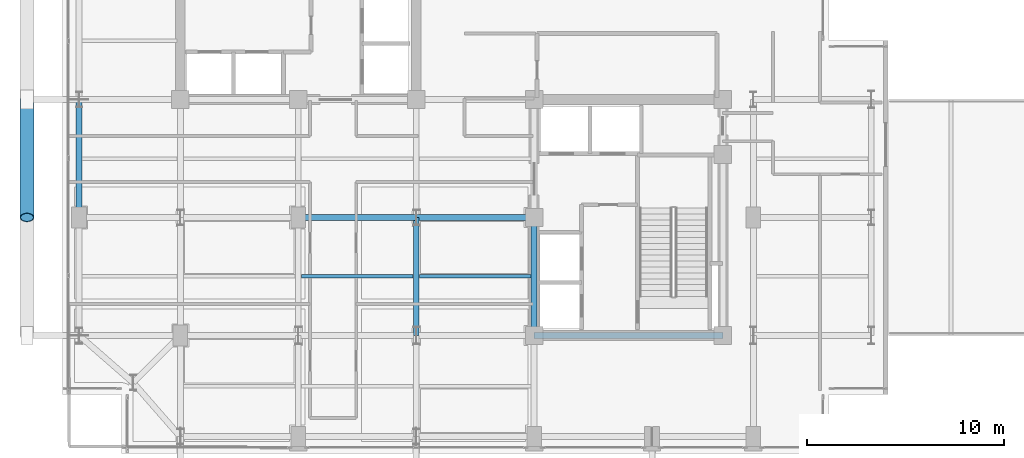
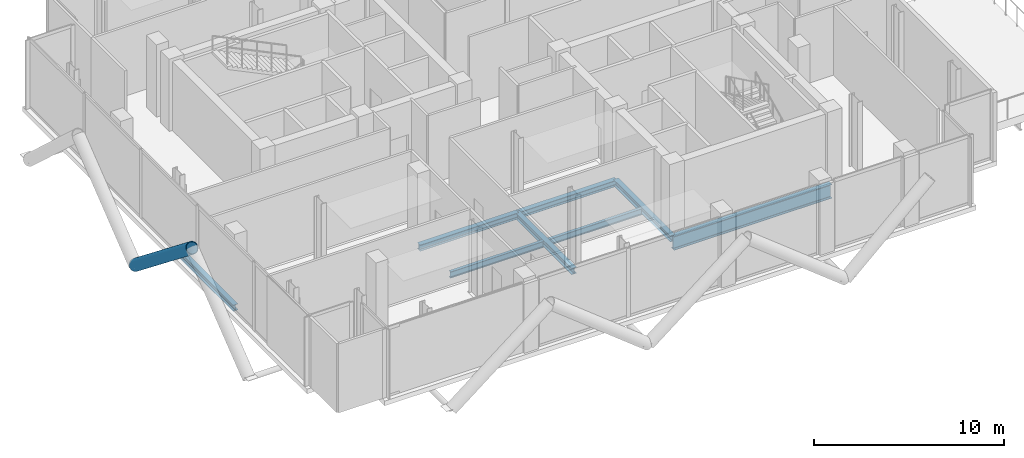
# One storey, part 4 of 19: 8 beams, 1 member.
"""IFC4 building model written with IfcOpenShell, lengths in metres."""

import ifcopenshell
import ifcopenshell.guid

model = None  # the IFC model being written
_history = None  # IfcOwnerHistory: only IFC2X3 demands one
_inside = {}  # id of a spatial element -> (the spatial element, [elements in it])
_under = {}  # id of a project, library or spatial element -> (it, [spatial elements below it])
_declared = {}  # id of a project -> (the project, [libraries it declares])
_typed = {}  # id of a type object -> (the type object, [elements of that type])
_made_of = {}  # id of a material, layer set ... -> (it, [elements and type objects made of it])


def new_model(schema):
    """Start an empty IFC model of exactly this schema.

    Asked for "IFC4X3", IfcOpenShell would pick the latest addendum, in which some entities
    have other attributes; the version numbers below select the first issue.
    IFC2X3 requires an IfcOwnerHistory on every rooted entity: one is made here for all.
    """
    global model, _history
    if schema == "IFC4X3":
        model = ifcopenshell.file(schema_version=(4, 3, 0, 0))
    else:
        model = ifcopenshell.file(schema=schema)
    _inside.clear()
    _under.clear()
    _declared.clear()
    _typed.clear()
    _made_of.clear()
    _history = None
    if model.schema == "IFC2X3":
        org = make("IfcOrganization", Name="unknown")
        user = make(
            "IfcPersonAndOrganization",
            ThePerson=make("IfcPerson", FamilyName="unknown"),
            TheOrganization=org,
        )
        app = make(
            "IfcApplication",
            ApplicationDeveloper=org,
            Version="unknown",
            ApplicationFullName="unknown",
            ApplicationIdentifier="unknown",
        )
        _history = make(
            "IfcOwnerHistory",
            OwningUser=user,
            OwningApplication=app,
            ChangeAction="ADDED",
            CreationDate=0,
        )
    return model


def make(cls, **values):
    """One entity of the class cls with the attributes given. An attribute that is None is left unset."""
    return model.create_entity(
        cls, **{name: value for name, value in values.items() if value is not None}
    )


def rooted(cls, **values):
    """An entity with a GlobalId (a new one), such as an element, a storey or a relation."""
    return make(cls, GlobalId=ifcopenshell.guid.new(), OwnerHistory=_history, **values)


def si_unit(unit_type, name, prefix=None):
    """IfcSIUnit, for example si_unit("LENGTHUNIT", "METRE", prefix="MILLI")."""
    return make("IfcSIUnit", UnitType=unit_type, Prefix=prefix, Name=name)


def assignment(units):
    """IfcUnitAssignment: the units of a project."""
    return None if units is None else make("IfcUnitAssignment", Units=units)


def point(xyz):
    """IfcCartesianPoint."""
    return None if xyz is None else make("IfcCartesianPoint", Coordinates=xyz)


def direction(xyz):
    """IfcDirection."""
    return None if xyz is None else make("IfcDirection", DirectionRatios=xyz)


def frame(location, z_axis=None, x_axis=None):
    """IfcAxis2Placement3D, a coordinate frame: its origin and axes. An axis left out is left unset."""
    return make(
        "IfcAxis2Placement3D",
        Location=point(location),
        Axis=direction(z_axis),
        RefDirection=direction(x_axis),
    )


def frame_2d(location, x_axis=None):
    """IfcAxis2Placement2D, a coordinate frame in the plane: its origin and x axis."""
    return make(
        "IfcAxis2Placement2D", Location=point(location), RefDirection=direction(x_axis)
    )


def origin():
    """The frame at (0, 0, 0) with its axes left unset."""
    return frame((0.0, 0.0, 0.0))


def origin_2d():
    """The frame at (0, 0) in the plane with its x axis left unset."""
    return frame_2d((0.0, 0.0))


def place(relative_to, where):
    """IfcLocalPlacement: puts the frame where relative to a parent placement (None: the world)."""
    return make(
        "IfcLocalPlacement", PlacementRelTo=relative_to, RelativePlacement=where
    )


def context(
    kind, dimensions, precision=None, world=None, true_north=None, identifier=None
):
    """IfcGeometricRepresentationContext, for example the 3D "Model" context."""
    return make(
        "IfcGeometricRepresentationContext",
        ContextIdentifier=identifier,
        ContextType=kind,
        CoordinateSpaceDimension=dimensions,
        Precision=precision,
        WorldCoordinateSystem=world,
        TrueNorth=true_north,
    )


def subcontext(parent, identifier, kind, view, scale=None):
    """IfcGeometricRepresentationSubContext, for example "Body" below "Model"."""
    return make(
        "IfcGeometricRepresentationSubContext",
        ContextIdentifier=identifier,
        ContextType=kind,
        ParentContext=parent,
        TargetScale=scale,
        TargetView=view,
    )


def project(units=None, contexts=None):
    """IfcProject with its units and contexts."""
    return rooted(
        "IfcProject",
        Name="project",
        RepresentationContexts=contexts,
        UnitsInContext=assignment(units),
    )


def spatial(cls, under=None, at=None, **own):
    """A site, building, storey or space (cls), placed at a placement, below another one or the project."""
    s = rooted(cls, ObjectPlacement=at, **own)
    if under is not None:
        _under.setdefault(under.id(), (under, []))[1].append(s)
    return s


def profile(cls, at=None, kind="AREA", **sizes):
    """A parametric profile (cls). Its sizes go by their IFC names, for example OverallWidth=200.0."""
    return make(cls, ProfileType=kind, Position=at, **sizes)


def hollow_circle(**sizes):
    """IfcCircleHollowProfileDef."""
    return profile("IfcCircleHollowProfileDef", **sizes)


def i_section(**sizes):
    """IfcIShapeProfileDef."""
    return profile("IfcIShapeProfileDef", **sizes)


def extrude(swept, where, along, depth):
    """IfcExtrudedAreaSolid: the profile swept, set in the frame where, extruded along a direction by depth."""
    return make(
        "IfcExtrudedAreaSolid",
        SweptArea=swept,
        Position=where,
        ExtrudedDirection=direction(along),
        Depth=depth,
    )


def shape(context_of_items, identifier, shape_type, items):
    """IfcShapeRepresentation: the items that make up one representation, for example the "Body"."""
    return make(
        "IfcShapeRepresentation",
        ContextOfItems=context_of_items,
        RepresentationIdentifier=identifier,
        RepresentationType=shape_type,
        Items=items,
    )


def material(Name=None, Category=None):
    """IfcMaterial."""
    return make("IfcMaterial", Name=Name, Category=Category)


def material_profile(
    of_material, cross_section, Name=None, Category=None, Priority=None
):
    """IfcMaterialProfile: a cross section and its material."""
    return make(
        "IfcMaterialProfile",
        Name=Name,
        Material=of_material,
        Profile=cross_section,
        Priority=Priority,
        Category=Category,
    )


def profile_set(profiles, Name=None, composite=None):
    """IfcMaterialProfileSet."""
    return make(
        "IfcMaterialProfileSet",
        Name=Name,
        MaterialProfiles=profiles,
        CompositeProfile=composite,
    )


def made_of(thing, what):
    """Note that an element or type object is made of a material, layer set ...; save() writes the relation."""
    if what is not None:
        _made_of.setdefault(what.id(), (what, []))[1].append(thing)
    return thing


def type_object(cls, material=None, **own):
    """A type object (cls), such as IfcWallType, which elements share."""
    return made_of(rooted(cls, **own), material)


def element(
    cls,
    number,
    at=None,
    inside=None,
    cuts=None,
    type_object=None,
    material=None,
    context=None,
    identifier="Body",
    shape_type=None,
    held_by="IfcProductDefinitionShape",
    body=None,
    shapes=None,
    **own,
):
    """One element of the class cls, such as IfcWall. Its Tag is "e" and its number.

    at: its placement. inside: the storey or other place that contains it. cuts: it is an
    opening in that element (IfcRelVoidsElement). A single representation is given by context,
    identifier, shape_type and body (its items); several are given by shapes. held_by: the class
    of the entity that holds the representations. save() writes the other relations.
    """
    e = rooted(cls, Tag="e%d" % number, ObjectPlacement=at, **own)
    if body is not None:
        shapes = [shape(context, identifier, shape_type, body)]
    if shapes is not None:
        e.Representation = make(held_by, Representations=shapes)
    if inside is not None:
        _inside.setdefault(inside.id(), (inside, []))[1].append(e)
    if cuts is not None:
        rooted(
            "IfcRelVoidsElement", RelatingBuildingElement=cuts, RelatedOpeningElement=e
        )
    if type_object is not None:
        _typed.setdefault(type_object.id(), (type_object, []))[1].append(e)
    return made_of(e, material)


def aggregate(whole, parts):
    """IfcRelAggregates: a whole, such as a stair, and the parts it consists of."""
    return rooted("IfcRelAggregates", RelatingObject=whole, RelatedObjects=parts)


def save(model, path):
    """Write the relations noted so far, then the file.

    IfcRelAggregates (storeys below a building ...), IfcRelContainedInSpatialStructure (elements
    in a storey), IfcRelDefinesByType, IfcRelAssociatesMaterial and IfcRelDeclares: one each for
    every whole, place, type object, material and project.
    """
    for whole, parts in _under.values():
        aggregate(whole, parts)
    for where, things in _inside.values():
        rooted(
            "IfcRelContainedInSpatialStructure",
            RelatedElements=things,
            RelatingStructure=where,
        )
    for kind, things in _typed.values():
        rooted("IfcRelDefinesByType", RelatedObjects=things, RelatingType=kind)
    for what, things in _made_of.values():
        rooted("IfcRelAssociatesMaterial", RelatedObjects=things, RelatingMaterial=what)
    for by, libraries in _declared.values():
        rooted("IfcRelDeclares", RelatingContext=by, RelatedDefinitions=libraries)
    model.write(path)


model = new_model("IFC4")

# Units and contexts
model_context = context("Model", 3, precision=1e-05, world=origin(), true_north=direction((0.0, 1.0)))
body_context = subcontext(model_context, "Body", "Model", "MODEL_VIEW")
ifc_project = project(units=[si_unit("LENGTHUNIT", "METRE"), si_unit("AREAUNIT", "SQUARE_METRE"), si_unit("VOLUMEUNIT", "CUBIC_METRE"), si_unit("PLANEANGLEUNIT", "RADIAN"), si_unit("MASSUNIT", "GRAM", prefix="KILO"), si_unit("THERMODYNAMICTEMPERATUREUNIT", "KELVIN"), si_unit("POWERUNIT", "WATT")], contexts=[model_context])

# Site, building, storey
site_placement = place(None, origin())
site = spatial("IfcSite", under=ifc_project, at=site_placement, CompositionType="ELEMENT")
building_placement = place(site_placement, origin())
building = spatial("IfcBuilding", under=site, at=building_placement, Name="Svarakhadi Broadcast Tower", CompositionType="ELEMENT")
storey_placement = place(building_placement, frame((0.0, 0.0, 204.0)))
storey = spatial("IfcBuildingStorey", under=building, at=storey_placement, Name="L50", CompositionType="ELEMENT", Elevation=204.0)

# Beams
ifc_material_1 = material(Name="Steel S355J2 (IS 2062 E350C)", Category="steel")
ifc_material_profile_1 = material_profile(ifc_material_1, i_section(OverallWidth=0.179931640625, OverallDepth=0.39990234375, WebThickness=0.008544921875, FlangeThickness=0.013427734375, FilletRadius=0.02099609375, at=origin_2d()), Name="NPB 400x180x66")
ifc_profile_set_1 = profile_set([ifc_material_profile_1], Name="Steel S355J2 (IS 2062 E350C)")
beam_type_1 = type_object("IfcBeamType", Name="Beam_NPB400", PredefinedType="BEAM", material=ifc_profile_set_1)
for number, where, z_axis, x_axis, name in (
    (1, (12.159912109375, 9.0, -0.5), (1.0, 0.0, 0.0), (0.0, 1.0, 0.0), "L50 Secondary Composite Beam SB010"),
    (2, (18.159912109375, 9.0, -0.5), (1.0, 0.0, 0.0), (0.0, 1.0, 0.0), "L50 Secondary Composite Beam SB014"),
):
    element("IfcBeam", number, at=place(storey_placement, frame(where, z_axis=z_axis, x_axis=x_axis)), inside=storey, type_object=beam_type_1, Name=name, PredefinedType="BEAM", context=body_context, shape_type="SweptSolid", body=[
        extrude(i_section(OverallWidth=0.179931640625, OverallDepth=0.39990234375, WebThickness=0.008544921875, FlangeThickness=0.013427734375, FilletRadius=0.02099609375, at=origin_2d()), origin(), (0.0, 0.0, 1.0), 5.68017578125),
    ])

# Member
ifc_material_2 = material(Name="Steel S460ML (IS 2062 E450BR)", Category="steel")
ifc_material_profile_2 = material_profile(ifc_material_2, hollow_circle(Radius=0.35546875, WallThickness=0.034912109375, at=origin_2d()), Name="CHS 711x35")
ifc_profile_set_2 = profile_set([ifc_material_profile_2], Name="Steel S460ML (IS 2062 E450BR)")
member_type = type_object("IfcMemberType", Name="Exo_Brace_CHS711", PredefinedType="BRACE", material=ifc_profile_set_2)
member_placement = place(storey_placement, frame((-1.800048828125, 18.0, -0.4619140625), z_axis=(0.0, -0.784682488402, 0.619897888685), x_axis=(1.0, 0.0, 0.0)))
element("IfcMember", 3, at=member_placement, inside=storey, type_object=member_type, Name="L50 Exposed Bronze Exoskeleton Diagonal W07", PredefinedType="BRACE", context=body_context, shape_type="SweptSolid", body=[
    extrude(hollow_circle(Radius=0.35546875, WallThickness=0.034912109375, at=origin_2d()), origin(), (0.0, 0.0, 1.0), 7.646484375),
])

# Beams
ifc_material_profile_3 = material_profile(ifc_material_1, i_section(OverallWidth=0.300048828125, OverallDepth=0.39990234375, WebThickness=0.013427734375, FlangeThickness=0.02392578125, FilletRadius=0.027099609375, at=origin_2d()), Name="WPB 400x300x155")
ifc_profile_set_3 = profile_set([ifc_material_profile_3], Name="Steel S355J2 (IS 2062 E350C)")
beam_type_2 = type_object("IfcBeamType", Name="Girder_WPB400", PredefinedType="USERDEFINED", material=ifc_profile_set_3)
for number, where, z_axis, x_axis, name in (
    (4, (12.0, 12.0, -0.5), (1.0, 0.0, 0.0), (0.0, 1.0, 0.0), "L50 Primary E-W Girder G017"),
    (5, (18.0, 12.0, -0.5), (1.0, 0.0, 0.0), (0.0, 1.0, 0.0), "L50 Primary E-W Girder G018"),
    (6, (0.85009765625, 12.0, -0.5), (0.0, 1.0, 0.0), (-1.0, 0.0, 0.0), "L50 Primary N-S Girder G034"),
    (7, (18.0, 6.0, -0.5), (0.0, 1.0, 0.0), (-1.0, 0.0, 0.0), "L50 Primary N-S Girder G047"),
    (8, (24.0, 6.0, -0.5), (0.0, 1.0, 0.0), (-1.0, 0.0, 0.0), "L50 Primary N-S Girder G052"),
):
    element("IfcBeam", number, at=place(storey_placement, frame(where, z_axis=z_axis, x_axis=x_axis)), inside=storey, type_object=beam_type_2, Name=name, ObjectType="GIRDER", PredefinedType="USERDEFINED", context=body_context, shape_type="SweptSolid", body=[
        extrude(i_section(OverallWidth=0.300048828125, OverallDepth=0.39990234375, WebThickness=0.013427734375, FlangeThickness=0.02392578125, FilletRadius=0.027099609375, at=origin_2d()), origin(), (0.0, 0.0, 1.0), 6.0),
    ])
ifc_material_profile_4 = material_profile(ifc_material_2, i_section(OverallWidth=0.300048828125, OverallDepth=0.89990234375, WebThickness=0.0185546875, FlangeThickness=0.034912109375, FilletRadius=0.030029296875, at=origin_2d()), Name="WPB 900x300x291")
ifc_profile_set_4 = profile_set([ifc_material_profile_4], Name="Steel S460ML (IS 2062 E450BR)")
beam_type_3 = type_object("IfcBeamType", Name="Girder_WPB900", PredefinedType="USERDEFINED", material=ifc_profile_set_4)
beam_placement = place(storey_placement, frame((24.0, 6.0, -0.75), z_axis=(1.0, 0.0, 0.0), x_axis=(0.0, 1.0, 0.0)))
element("IfcBeam", 9, at=beam_placement, inside=storey, type_object=beam_type_3, Name="L50 Primary E-W Girder G013", ObjectType="GIRDER", PredefinedType="USERDEFINED", context=body_context, shape_type="SweptSolid", body=[
    extrude(i_section(OverallWidth=0.300048828125, OverallDepth=0.89990234375, WebThickness=0.0185546875, FlangeThickness=0.034912109375, FilletRadius=0.030029296875, at=origin_2d()), origin(), (0.0, 0.0, 1.0), 9.60009765625),
])

save(model, "model.ifc")
